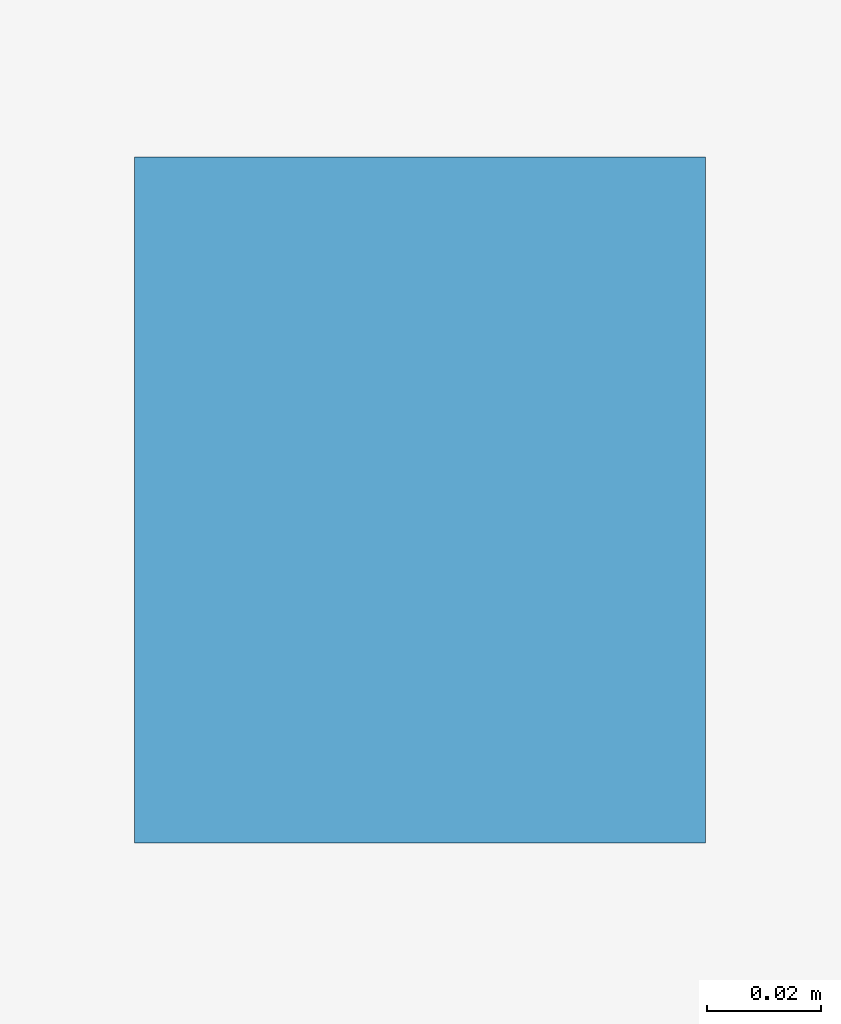
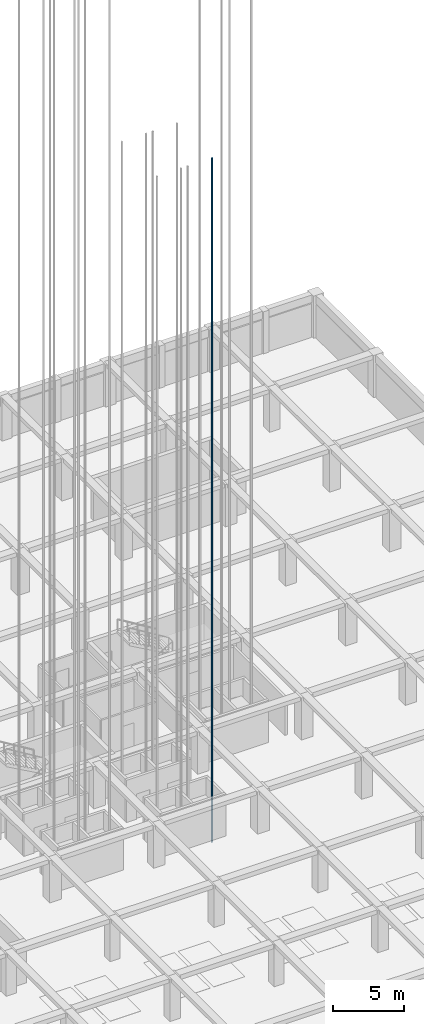
# One storey, part 36 of 47: 1 discrete accessory.
"""IFC4 building model written with IfcOpenShell, lengths in metres."""

from ifc_helpers import new_model, si_unit, direction, frame, origin, origin_2d, place, context, subcontext, project, spatial, rectangle, extrude, material, layer, layer_set, type_object, element, save


model = new_model("IFC4")

# Units and contexts
model_context = context("Model", 3, precision=1e-05, world=origin(), true_north=direction((0.0, 1.0)))
body_context = subcontext(model_context, "Body", "Model", "MODEL_VIEW")
ifc_project = project(units=[si_unit("LENGTHUNIT", "METRE"), si_unit("AREAUNIT", "SQUARE_METRE"), si_unit("VOLUMEUNIT", "CUBIC_METRE"), si_unit("PLANEANGLEUNIT", "RADIAN"), si_unit("MASSUNIT", "GRAM", prefix="KILO")], contexts=[model_context])

# Site, building, storey
site_placement = place(None, origin())
site = spatial("IfcSite", under=ifc_project, at=site_placement, CompositionType="ELEMENT")
building_placement = place(site_placement, origin())
building = spatial("IfcBuilding", under=site, at=building_placement, Name="Almacenes y Pasaje Nevantli", CompositionType="ELEMENT")
storey_placement = place(building_placement, frame((0.0, 0.0, -8.10009765625)))
storey = spatial("IfcBuildingStorey", under=building, at=storey_placement, Name="B02", CompositionType="ELEMENT", Elevation=-8.10009765625)

# Discrete accessory
ifc_material = material(Name="Steel ASTM A36", Category="steel")
ifc_layer = layer(ifc_material, 0.1201171875)
ifc_layer_set = layer_set([ifc_layer], Name="Steel ASTM A36")
discrete_accessory_type = type_object("IfcDiscreteAccessoryType", Name="ACC-LIFT-RAIL", PredefinedType="BRACKET", material=ifc_layer_set)
discrete_accessory_placement = place(storey_placement, frame((131.530029296875, 68.949951171875, -1.199951171875), z_axis=(0.0, 0.0, 1.0), x_axis=(1.0, 0.0, 0.0)))
element("IfcDiscreteAccessory", 1, at=discrete_accessory_placement, inside=storey, type_object=discrete_accessory_type, Name="Elevator Steel T-Section Guide Rail ELV-P02-E", PredefinedType="BRACKET", context=body_context, shape_type="SweptSolid", body=[
    extrude(rectangle(XDim=0.10009765625, YDim=0.1201171875, at=origin_2d()), origin(), (0.0, 0.0, 1.0), 58.5),
])

save(model, "model.ifc")
